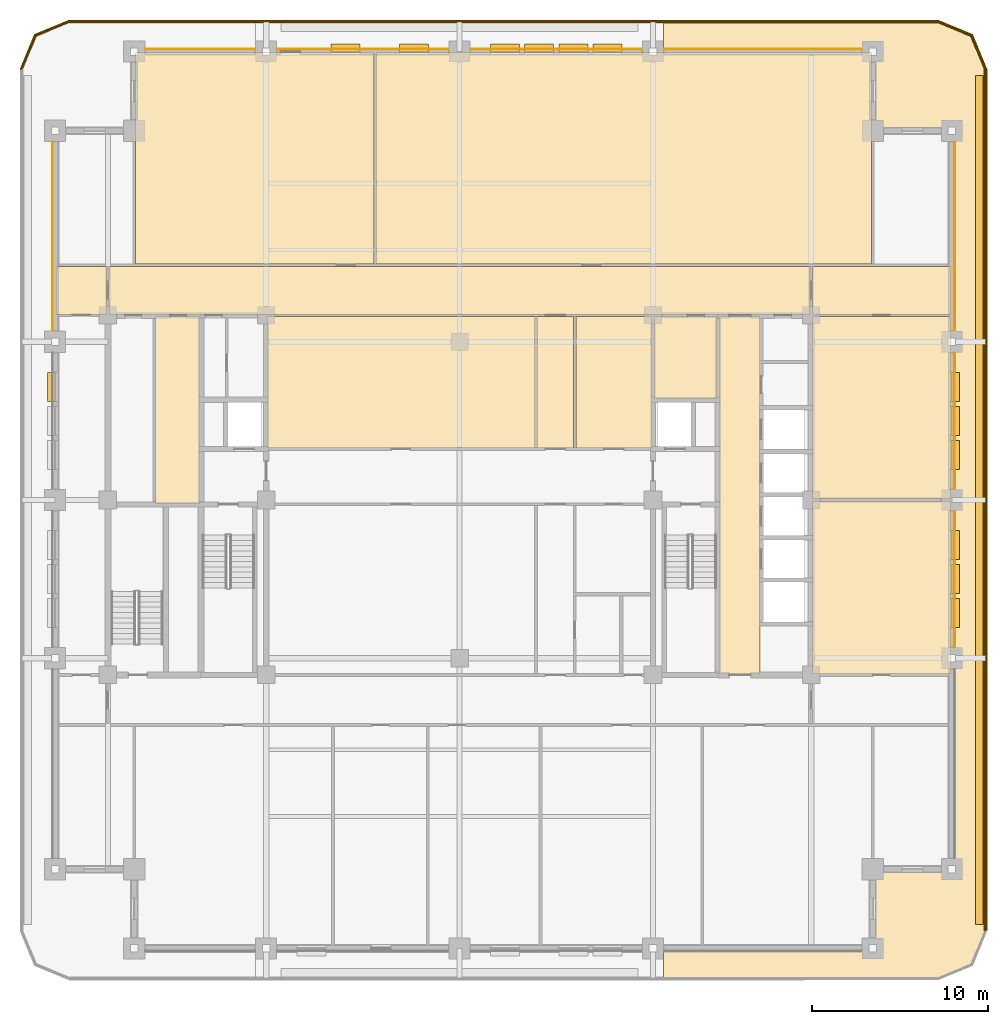
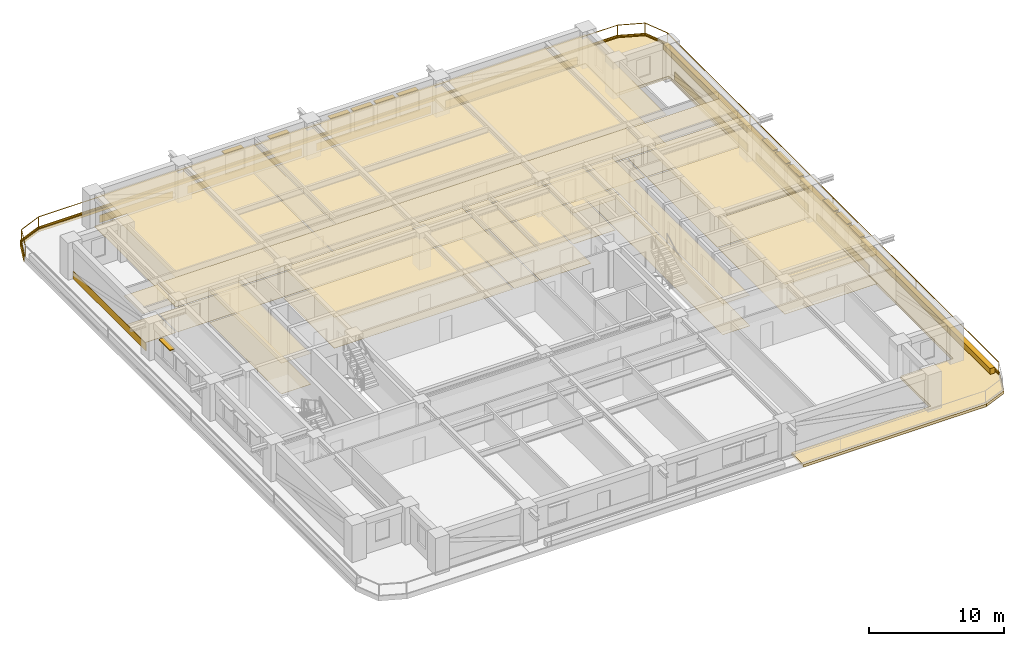
# One storey, part 13 of 13: 42 coverings, 13 shading devices, 2 railings.
"""IFC4 building model written with IfcOpenShell, lengths in metres."""

from ifc_helpers import new_model, si_unit, direction, frame, frame_2d, origin, origin_2d, place, context, subcontext, project, spatial, polyline, rectangle, outline, extrude, material, layer, layer_set, type_object, element, save


model = new_model("IFC4")

# Units and contexts
model_context = context("Model", 3, precision=1e-05, world=origin(), true_north=direction((0.0, 1.0)))
body_context = subcontext(model_context, "Body", "Model", "MODEL_VIEW")
ifc_project = project(units=[si_unit("LENGTHUNIT", "METRE"), si_unit("AREAUNIT", "SQUARE_METRE"), si_unit("VOLUMEUNIT", "CUBIC_METRE"), si_unit("PLANEANGLEUNIT", "RADIAN"), si_unit("MASSUNIT", "GRAM", prefix="KILO")], contexts=[model_context])

# Site, building, storey
site_placement = place(None, origin())
site = spatial("IfcSite", under=ifc_project, at=site_placement, CompositionType="ELEMENT")
building_placement = place(site_placement, origin())
building = spatial("IfcBuilding", under=site, at=building_placement, Name="Zulmaris Gate Convention Tower", CompositionType="ELEMENT")
storey_placement = place(building_placement, frame((0.0, 0.0, 109.2099609375)))
storey = spatial("IfcBuildingStorey", under=building, at=storey_placement, Name="L27", CompositionType="ELEMENT", Elevation=109.2099609375)

# Coverings
ifc_material_1 = material(Name="Precast concrete C40/50", Category="concrete")
ifc_layer_1 = layer(ifc_material_1, 0.0400390625, Name="Precast concrete C40/50")
ifc_layer_set_1 = layer_set([ifc_layer_1], Name="Precast concrete C40/50")
covering_type_1 = type_object("IfcCoveringType", Name="CLAD-SPANDREL-PRECAST", PredefinedType="CLADDING", material=ifc_layer_set_1)
covering_1_placement = place(storey_placement, frame((-11.6298828125, 25.64990234375, 0.0), z_axis=(0.0, 0.0, 1.0), x_axis=(-1.0, 0.0, 0.0)))
element("IfcCovering", 1, at=covering_1_placement, inside=storey, type_object=covering_type_1, Name="CLD-L27-N-0_0", PredefinedType="CLADDING", context=body_context, shape_type="SweptSolid", body=[
    extrude(rectangle(XDim=6.240234375, YDim=0.0400390625, at=frame_2d((3.1201171875, 0.0))), origin(), (0.0, 0.0, 1.0), 0.679931640625),
])
for number, where, z_axis, x_axis, name in (
    (2, (-0.6298828125, 25.64990234375, 0.0), (0.0, 0.0, 1.0), (-1.0, 0.0, 0.0), "CLD-L27-N-1_0"),
    (3, (10.3701171875, 25.64990234375, 0.0), (0.0, 0.0, 1.0), (-1.0, 0.0, 0.0), "CLD-L27-N-2_0"),
):
    element("IfcCovering", number, at=place(storey_placement, frame(where, z_axis=z_axis, x_axis=x_axis)), inside=storey, type_object=covering_type_1, Name=name, PredefinedType="CLADDING", context=body_context, shape_type="SweptSolid", body=[
        extrude(rectangle(XDim=9.740234375, YDim=0.0400390625, at=frame_2d((4.8701171875, 0.0))), origin(), (0.0, 0.0, 1.0), 0.679931640625),
    ])
covering_2_placement = place(storey_placement, frame((22.8701171875, 25.64990234375, 0.0), z_axis=(0.0, 0.0, 1.0), x_axis=(-1.0, 0.0, 0.0)))
element("IfcCovering", 4, at=covering_2_placement, inside=storey, type_object=covering_type_1, Name="CLD-L27-N-3_0", PredefinedType="CLADDING", context=body_context, shape_type="SweptSolid", body=[
    extrude(rectangle(XDim=11.240234375, YDim=0.0400390625, at=frame_2d((5.6201171875, 0.0))), origin(), (0.0, 0.0, 1.0), 0.679931640625),
])
for number, where, z_axis, x_axis, name in (
    (5, (28.14990234375, -8.3701171875, 0.0), (0.0, 0.0, 1.0), (0.0, 1.0, 0.0), "CLD-L27-E-1_0"),
    (6, (28.14990234375, 0.6298828125, 0.0), (0.0, 0.0, 1.0), (0.0, 1.0, 0.0), "CLD-L27-E-2_0"),
):
    element("IfcCovering", number, at=place(storey_placement, frame(where, z_axis=z_axis, x_axis=x_axis)), inside=storey, type_object=covering_type_1, Name=name, PredefinedType="CLADDING", context=body_context, shape_type="SweptSolid", body=[
        extrude(rectangle(XDim=7.740234375, YDim=0.0400390625, at=frame_2d((3.8701171875, 0.0))), origin(), (0.0, 0.0, 1.0), 0.679931640625),
    ])
for number, where, z_axis, x_axis, name in (
    (7, (28.14990234375, 9.6298828125, 0.0), (0.0, 0.0, 1.0), (0.0, 1.0, 0.0), "CLD-L27-E-3_0"),
    (8, (-23.14990234375, 20.3701171875, 0.0), (0.0, 0.0, 1.0), (0.0, -1.0, 0.0), "CLD-L27-W-3_0"),
):
    element("IfcCovering", number, at=place(storey_placement, frame(where, z_axis=z_axis, x_axis=x_axis)), inside=storey, type_object=covering_type_1, Name=name, PredefinedType="CLADDING", context=body_context, shape_type="SweptSolid", body=[
        extrude(rectangle(XDim=10.740234375, YDim=0.0400390625, at=frame_2d((5.3701171875, 0.0))), origin(), (0.0, 0.0, 1.0), 0.679931640625),
    ])
ifc_material_2 = material(Name="White Glazed Architectural Precast Concrete C40/50", Category="concrete")
ifc_layer_2 = layer(ifc_material_2, 0.239990234375, Name="White Glazed Architectural Precast Concrete C40/50")
ifc_layer_set_2 = layer_set([ifc_layer_2], Name="White Glazed Architectural Precast Concrete C40/50")
covering_type_2 = type_object("IfcCoveringType", Name="CLAD-TRAY-DECK", PredefinedType="CLADDING", material=ifc_layer_set_2)
covering_3_placement = place(storey_placement, frame((0.0, 0.0, -0.25)))
element("IfcCovering", 9, at=covering_3_placement, inside=storey, type_object=covering_type_2, Name="L27 East Rounded-Fascia Planter Tray Deck", PredefinedType="CLADDING", context=body_context, shape_type="SweptSolid", body=[
    extrude(outline(polyline([(27.199951171875, 27.300048828125), (29.179931640625, 26.47998046875), (30.0, 24.5), (30.0, -24.5), (29.179931640625, -26.47998046875), (27.199951171875, -27.300048828125), (11.60205078125, -27.300048828125), (11.60205078125, -25.5), (23.5, -25.5), (23.5, -21.0), (28.0, -21.0), (28.0, 21.0), (23.5, 21.0), (23.5, 25.5), (11.60205078125, 25.5), (11.60205078125, 27.300048828125), (27.199951171875, 27.300048828125)])), origin(), (0.0, 0.0, 1.0), 0.239990234375),
])
ifc_layer_3 = layer(ifc_material_2, 0.080078125, Name="White Glazed Architectural Precast Concrete C40/50")
ifc_layer_set_3 = layer_set([ifc_layer_3], Name="White Glazed Architectural Precast Concrete C40/50")
covering_type_3 = type_object("IfcCoveringType", Name="CLAD-TRAY-FASCIA", PredefinedType="CLADDING", material=ifc_layer_set_3)
covering_4_placement = place(storey_placement, frame((29.9599609375, -24.5, -0.2900390625), z_axis=(0.0, 0.0, 1.0), x_axis=(0.0, 1.0, 0.0)))
element("IfcCovering", 10, at=covering_4_placement, inside=storey, type_object=covering_type_3, Name="FSC-L27-TR-05", PredefinedType="CLADDING", context=body_context, shape_type="SweptSolid", body=[
    extrude(rectangle(XDim=49.0, YDim=0.080078125, at=frame_2d((24.5, 0.0))), origin(), (0.0, 0.0, 1.0), 0.440185546875),
])
covering_5_placement = place(storey_placement, frame((29.962890625, 24.484619140625, -0.2900390625), z_axis=(0.0, 0.0, 1.0), x_axis=(-0.382656984709, 0.923890487046, 0.0)))
element("IfcCovering", 11, at=covering_5_placement, inside=storey, type_object=covering_type_3, Name="FSC-L27-TR-06", PredefinedType="CLADDING", context=body_context, shape_type="SweptSolid", body=[
    extrude(rectangle(XDim=2.14306640625, YDim=0.080078125, at=frame_2d((1.071533203125, 0.0))), origin(), (0.0, 0.0, 1.0), 0.440185546875),
])
covering_6_placement = place(storey_placement, frame((29.16455078125, 26.44287109375, -0.2900390625), z_axis=(0.0, 0.0, 1.0), x_axis=(-0.923873803533, 0.382697263049, 0.0)))
element("IfcCovering", 12, at=covering_6_placement, inside=storey, type_object=covering_type_3, Name="FSC-L27-TR-07", PredefinedType="CLADDING", context=body_context, shape_type="SweptSolid", body=[
    extrude(rectangle(XDim=2.142822265625, YDim=0.080078125, at=frame_2d((1.0712890625, 0.0))), origin(), (0.0, 0.0, 1.0), 0.440185546875),
])
covering_7_placement = place(storey_placement, frame((27.199951171875, 27.260009765625, -0.2900390625), z_axis=(0.0, 0.0, 1.0), x_axis=(-1.0, 0.0, 0.0)))
element("IfcCovering", 13, at=covering_7_placement, inside=storey, type_object=covering_type_3, Name="FSC-L27-TR-08", PredefinedType="CLADDING", context=body_context, shape_type="SweptSolid", body=[
    extrude(rectangle(XDim=49.39990234375, YDim=0.080078125, at=frame_2d((24.699951171875, 0.0))), origin(), (0.0, 0.0, 1.0), 0.440185546875),
])
covering_8_placement = place(storey_placement, frame((-22.184814453125, 27.262939453125, -0.2900390625), z_axis=(0.0, 0.0, 1.0), x_axis=(-0.923873803533, -0.382697263049, 0.0)))
element("IfcCovering", 14, at=covering_8_placement, inside=storey, type_object=covering_type_3, Name="FSC-L27-TR-09", PredefinedType="CLADDING", context=body_context, shape_type="SweptSolid", body=[
    extrude(rectangle(XDim=2.142822265625, YDim=0.080078125, at=frame_2d((1.0712890625, 0.0))), origin(), (0.0, 0.0, 1.0), 0.440185546875),
])
covering_9_placement = place(storey_placement, frame((-24.142822265625, 26.464599609375, -0.2900390625), z_axis=(0.0, 0.0, 1.0), x_axis=(-0.382656984709, -0.923890487046, 0.0)))
element("IfcCovering", 15, at=covering_9_placement, inside=storey, type_object=covering_type_3, Name="FSC-L27-TR-10", PredefinedType="CLADDING", context=body_context, shape_type="SweptSolid", body=[
    extrude(rectangle(XDim=2.14306640625, YDim=0.080078125, at=frame_2d((1.071533203125, 0.0))), origin(), (0.0, 0.0, 1.0), 0.440185546875),
])
ifc_material_3 = material(Name="Mineral Fibre Acoustic Ceiling Tile")
ifc_layer_4 = layer(ifc_material_3, 0.02001953125, Name="Mineral Fibre Acoustic Ceiling Tile")
ifc_layer_set_4 = layer_set([ifc_layer_4], Name="Mineral Fibre Acoustic Ceiling Tile")
covering_type_4 = type_object("IfcCoveringType", Name="CLG-ACOUSTIC-600", PredefinedType="CEILING", material=ifc_layer_set_4)
covering_10_placement = place(storey_placement, frame((0.0, 0.0, 2.778076171875)))
element("IfcCovering", 16, at=covering_10_placement, inside=storey, type_object=covering_type_4, Name="CLG-L27-R13", PredefinedType="CEILING", context=body_context, shape_type="SweptSolid", body=[
    extrude(outline(polyline([(11.06005859375, 5.760009765625), (14.639892578125, 5.760009765625), (14.639892578125, 10.43994140625), (11.06005859375, 10.43994140625), (11.06005859375, 5.760009765625)])), origin(), (0.0, 0.0, 1.0), 0.02001953125),
])
covering_11_placement = place(storey_placement, frame((0.0, 0.0, 2.778076171875)))
element("IfcCovering", 17, at=covering_11_placement, inside=storey, type_object=covering_type_4, Name="CLG-L27-R17", PredefinedType="CEILING", context=body_context, shape_type="SweptSolid", body=[
    extrude(outline(polyline([(-17.2900390625, -0.18994140625), (-14.760009765625, -0.18994140625), (-14.760009765625, 10.43994140625), (-17.2900390625, 10.43994140625), (-17.2900390625, -0.18994140625)])), origin(), (0.0, 0.0, 1.0), 0.02001953125),
])
covering_12_placement = place(storey_placement, frame((0.0, 0.0, 2.778076171875)))
element("IfcCovering", 18, at=covering_12_placement, inside=storey, type_object=covering_type_4, Name="CLG-L27-R23", PredefinedType="CEILING", context=body_context, shape_type="SweptSolid", body=[
    extrude(outline(polyline([(14.760009765625, -9.889892578125), (17.090087890625, -9.889892578125), (17.090087890625, 10.43994140625), (14.760009765625, 10.43994140625), (14.760009765625, -9.889892578125)])), origin(), (0.0, 0.0, 1.0), 0.02001953125),
])
covering_13_placement = place(storey_placement, frame((0.0, 0.0, 2.778076171875)))
element("IfcCovering", 19, at=covering_13_placement, inside=storey, type_object=covering_type_4, Name="CLG-L27-R28", PredefinedType="CEILING", context=body_context, shape_type="SweptSolid", body=[
    extrude(outline(polyline([(-19.93994140625, 10.56005859375), (19.93994140625, 10.56005859375), (19.93994140625, 13.2900390625), (-19.93994140625, 13.2900390625), (-19.93994140625, 10.56005859375)])), origin(), (0.0, 0.0, 1.0), 0.02001953125),
])
covering_14_placement = place(storey_placement, frame((0.0, 0.0, 2.778076171875)))
element("IfcCovering", 20, at=covering_14_placement, inside=storey, type_object=covering_type_4, Name="CLG-L27-R31", PredefinedType="CEILING", context=body_context, shape_type="SweptSolid", body=[
    extrude(outline(polyline([(4.409912109375, 2.9599609375), (6.489990234375, 2.9599609375), (6.489990234375, 10.43994140625), (4.409912109375, 10.43994140625), (4.409912109375, 2.9599609375)])), origin(), (0.0, 0.0, 1.0), 0.02001953125),
])
covering_15_placement = place(storey_placement, frame((0.0, 0.0, 2.679931640625)))
element("IfcCovering", 21, at=covering_15_placement, inside=storey, type_object=covering_type_4, Name="CLG-L27-R33", PredefinedType="CEILING", context=body_context, shape_type="SweptSolid", body=[
    extrude(outline(polyline([(-18.43994140625, 13.409912109375), (-4.860107421875, 13.409912109375), (-4.860107421875, 25.43994140625), (-18.43994140625, 25.43994140625), (-18.43994140625, 13.409912109375)])), origin(), (0.0, 0.0, 1.0), 0.02001953125),
])
covering_16_placement = place(storey_placement, frame((0.0, 0.0, 2.679931640625)))
element("IfcCovering", 22, at=covering_16_placement, inside=storey, type_object=covering_type_4, Name="CLG-L27-R34", PredefinedType="CEILING", context=body_context, shape_type="SweptSolid", body=[
    extrude(outline(polyline([(-4.739990234375, 13.409912109375), (23.43994140625, 13.409912109375), (23.43994140625, 25.43994140625), (-4.739990234375, 25.43994140625), (-4.739990234375, 13.409912109375)])), origin(), (0.0, 0.0, 1.0), 0.02001953125),
])
covering_17_placement = place(storey_placement, frame((0.0, 0.0, 2.778076171875)))
element("IfcCovering", 23, at=covering_17_placement, inside=storey, type_object=covering_type_4, Name="CLG-L27-R40", PredefinedType="CEILING", context=body_context, shape_type="SweptSolid", body=[
    extrude(outline(polyline([(-10.93994140625, 2.9599609375), (4.2900390625, 2.9599609375), (4.2900390625, 10.43994140625), (-10.93994140625, 10.43994140625), (-10.93994140625, 2.9599609375)])), origin(), (0.0, 0.0, 1.0), 0.02001953125),
])
covering_18_placement = place(storey_placement, frame((0.0, 0.0, 2.778076171875)))
element("IfcCovering", 24, at=covering_18_placement, inside=storey, type_object=covering_type_4, Name="CLG-L27-R41", PredefinedType="CEILING", context=body_context, shape_type="SweptSolid", body=[
    extrude(outline(polyline([(6.610107421875, 2.9599609375), (10.93994140625, 2.9599609375), (10.93994140625, 10.43994140625), (6.610107421875, 10.43994140625), (6.610107421875, 2.9599609375)])), origin(), (0.0, 0.0, 1.0), 0.02001953125),
])
covering_19_placement = place(storey_placement, frame((0.0, 0.0, 2.679931640625)))
element("IfcCovering", 25, at=covering_19_placement, inside=storey, type_object=covering_type_4, Name="CLG-L27-R46", PredefinedType="CEILING", context=body_context, shape_type="SweptSolid", body=[
    extrude(outline(polyline([(-22.93994140625, 10.56005859375), (-20.06005859375, 10.56005859375), (-20.06005859375, 13.2900390625), (-22.93994140625, 13.2900390625), (-22.93994140625, 10.56005859375)])), origin(), (0.0, 0.0, 1.0), 0.02001953125),
])
covering_20_placement = place(storey_placement, frame((0.0, 0.0, 2.679931640625)))
element("IfcCovering", 26, at=covering_20_placement, inside=storey, type_object=covering_type_4, Name="CLG-L27-R49", PredefinedType="CEILING", context=body_context, shape_type="SweptSolid", body=[
    extrude(outline(polyline([(20.06005859375, 10.56005859375), (27.93994140625, 10.56005859375), (27.93994140625, 13.2900390625), (20.06005859375, 13.2900390625), (20.06005859375, 10.56005859375)])), origin(), (0.0, 0.0, 1.0), 0.02001953125),
])
covering_21_placement = place(storey_placement, frame((0.0, 0.0, 2.679931640625)))
element("IfcCovering", 27, at=covering_21_placement, inside=storey, type_object=covering_type_4, Name="CLG-L27-R51", PredefinedType="CEILING", context=body_context, shape_type="SweptSolid", body=[
    extrude(outline(polyline([(20.06005859375, 0.06005859375), (27.93994140625, 0.06005859375), (27.93994140625, 10.43994140625), (20.06005859375, 10.43994140625), (20.06005859375, 0.06005859375)])), origin(), (0.0, 0.0, 1.0), 0.02001953125),
])
covering_22_placement = place(storey_placement, frame((0.0, 0.0, 2.679931640625)))
element("IfcCovering", 28, at=covering_22_placement, inside=storey, type_object=covering_type_4, Name="CLG-L27-R52", PredefinedType="CEILING", context=body_context, shape_type="SweptSolid", body=[
    extrude(outline(polyline([(20.06005859375, -9.889892578125), (27.93994140625, -9.889892578125), (27.93994140625, -0.06005859375), (20.06005859375, -0.06005859375), (20.06005859375, -9.889892578125)])), origin(), (0.0, 0.0, 1.0), 0.02001953125),
])
ifc_material_4 = material(Name="Woven Acoustic Wool Carpet Tile")
ifc_layer_5 = layer(ifc_material_4, 0.02001953125, Name="Woven Acoustic Wool Carpet Tile")
ifc_layer_set_5 = layer_set([ifc_layer_5], Name="Woven Acoustic Wool Carpet Tile")
covering_type_5 = type_object("IfcCoveringType", Name="FLR-CARPET-12", PredefinedType="FLOORING", material=ifc_layer_set_5)
covering_23_placement = place(storey_placement, origin())
element("IfcCovering", 29, at=covering_23_placement, inside=storey, type_object=covering_type_5, Name="FLR-L27-R13", PredefinedType="FLOORING", context=body_context, shape_type="SweptSolid", body=[
    extrude(outline(polyline([(11.06005859375, 5.760009765625), (14.639892578125, 5.760009765625), (14.639892578125, 10.43994140625), (11.06005859375, 10.43994140625), (11.06005859375, 5.760009765625)])), origin(), (0.0, 0.0, 1.0), 0.02001953125),
])
covering_24_placement = place(storey_placement, origin())
element("IfcCovering", 30, at=covering_24_placement, inside=storey, type_object=covering_type_5, Name="FLR-L27-R17", PredefinedType="FLOORING", context=body_context, shape_type="SweptSolid", body=[
    extrude(outline(polyline([(-17.2900390625, -0.18994140625), (-14.760009765625, -0.18994140625), (-14.760009765625, 10.43994140625), (-17.2900390625, 10.43994140625), (-17.2900390625, -0.18994140625)])), origin(), (0.0, 0.0, 1.0), 0.02001953125),
])
covering_25_placement = place(storey_placement, origin())
element("IfcCovering", 31, at=covering_25_placement, inside=storey, type_object=covering_type_5, Name="FLR-L27-R23", PredefinedType="FLOORING", context=body_context, shape_type="SweptSolid", body=[
    extrude(outline(polyline([(14.760009765625, -9.889892578125), (17.090087890625, -9.889892578125), (17.090087890625, 10.43994140625), (14.760009765625, 10.43994140625), (14.760009765625, -9.889892578125)])), origin(), (0.0, 0.0, 1.0), 0.02001953125),
])
covering_26_placement = place(storey_placement, origin())
element("IfcCovering", 32, at=covering_26_placement, inside=storey, type_object=covering_type_5, Name="FLR-L27-R28", PredefinedType="FLOORING", context=body_context, shape_type="SweptSolid", body=[
    extrude(outline(polyline([(-19.93994140625, 10.56005859375), (19.93994140625, 10.56005859375), (19.93994140625, 13.2900390625), (-19.93994140625, 13.2900390625), (-19.93994140625, 10.56005859375)])), origin(), (0.0, 0.0, 1.0), 0.02001953125),
])
covering_27_placement = place(storey_placement, origin())
element("IfcCovering", 33, at=covering_27_placement, inside=storey, type_object=covering_type_5, Name="FLR-L27-R31", PredefinedType="FLOORING", context=body_context, shape_type="SweptSolid", body=[
    extrude(outline(polyline([(4.409912109375, 2.9599609375), (6.489990234375, 2.9599609375), (6.489990234375, 10.43994140625), (4.409912109375, 10.43994140625), (4.409912109375, 2.9599609375)])), origin(), (0.0, 0.0, 1.0), 0.02001953125),
])
covering_28_placement = place(storey_placement, origin())
element("IfcCovering", 34, at=covering_28_placement, inside=storey, type_object=covering_type_5, Name="FLR-L27-R34", PredefinedType="FLOORING", context=body_context, shape_type="SweptSolid", body=[
    extrude(outline(polyline([(-4.739990234375, 13.409912109375), (23.43994140625, 13.409912109375), (23.43994140625, 25.43994140625), (-4.739990234375, 25.43994140625), (-4.739990234375, 13.409912109375)])), origin(), (0.0, 0.0, 1.0), 0.02001953125),
])
covering_29_placement = place(storey_placement, origin())
element("IfcCovering", 35, at=covering_29_placement, inside=storey, type_object=covering_type_5, Name="FLR-L27-R41", PredefinedType="FLOORING", context=body_context, shape_type="SweptSolid", body=[
    extrude(outline(polyline([(6.610107421875, 2.9599609375), (10.93994140625, 2.9599609375), (10.93994140625, 10.43994140625), (6.610107421875, 10.43994140625), (6.610107421875, 2.9599609375)])), origin(), (0.0, 0.0, 1.0), 0.02001953125),
])
covering_30_placement = place(storey_placement, origin())
element("IfcCovering", 36, at=covering_30_placement, inside=storey, type_object=covering_type_5, Name="FLR-L27-R46", PredefinedType="FLOORING", context=body_context, shape_type="SweptSolid", body=[
    extrude(outline(polyline([(-22.93994140625, 10.56005859375), (-20.06005859375, 10.56005859375), (-20.06005859375, 13.2900390625), (-22.93994140625, 13.2900390625), (-22.93994140625, 10.56005859375)])), origin(), (0.0, 0.0, 1.0), 0.02001953125),
])
covering_31_placement = place(storey_placement, origin())
element("IfcCovering", 37, at=covering_31_placement, inside=storey, type_object=covering_type_5, Name="FLR-L27-R49", PredefinedType="FLOORING", context=body_context, shape_type="SweptSolid", body=[
    extrude(outline(polyline([(20.06005859375, 10.56005859375), (27.93994140625, 10.56005859375), (27.93994140625, 13.2900390625), (20.06005859375, 13.2900390625), (20.06005859375, 10.56005859375)])), origin(), (0.0, 0.0, 1.0), 0.02001953125),
])
covering_32_placement = place(storey_placement, origin())
element("IfcCovering", 38, at=covering_32_placement, inside=storey, type_object=covering_type_5, Name="FLR-L27-R51", PredefinedType="FLOORING", context=body_context, shape_type="SweptSolid", body=[
    extrude(outline(polyline([(20.06005859375, 0.06005859375), (27.93994140625, 0.06005859375), (27.93994140625, 10.43994140625), (20.06005859375, 10.43994140625), (20.06005859375, 0.06005859375)])), origin(), (0.0, 0.0, 1.0), 0.02001953125),
])
covering_33_placement = place(storey_placement, origin())
element("IfcCovering", 39, at=covering_33_placement, inside=storey, type_object=covering_type_5, Name="FLR-L27-R52", PredefinedType="FLOORING", context=body_context, shape_type="SweptSolid", body=[
    extrude(outline(polyline([(20.06005859375, -9.889892578125), (27.93994140625, -9.889892578125), (27.93994140625, -0.06005859375), (20.06005859375, -0.06005859375), (20.06005859375, -9.889892578125)])), origin(), (0.0, 0.0, 1.0), 0.02001953125),
])
ifc_material_5 = material(Name="Polished Granite Terrazzo Tile", Category="masonry")
ifc_layer_6 = layer(ifc_material_5, 0.02001953125, Name="Polished Granite Terrazzo Tile")
ifc_layer_set_6 = layer_set([ifc_layer_6], Name="Polished Granite Terrazzo Tile")
covering_type_6 = type_object("IfcCoveringType", Name="FLR-TERRAZZO-30", PredefinedType="FLOORING", material=ifc_layer_set_6)
covering_34_placement = place(storey_placement, origin())
element("IfcCovering", 40, at=covering_34_placement, inside=storey, type_object=covering_type_6, Name="FLR-L27-R40", PredefinedType="FLOORING", context=body_context, shape_type="SweptSolid", body=[
    extrude(outline(polyline([(-10.93994140625, 2.9599609375), (4.2900390625, 2.9599609375), (4.2900390625, 10.43994140625), (-10.93994140625, 10.43994140625), (-10.93994140625, 2.9599609375)])), origin(), (0.0, 0.0, 1.0), 0.02001953125),
])
ifc_material_6 = material(Name="Engineered Teak Parquet Flooring")
ifc_layer_7 = layer(ifc_material_6, 0.02001953125, Name="Engineered Teak Parquet Flooring")
ifc_layer_set_7 = layer_set([ifc_layer_7], Name="Engineered Teak Parquet Flooring")
covering_type_7 = type_object("IfcCoveringType", Name="FLR-TIMBER-18", PredefinedType="FLOORING", material=ifc_layer_set_7)
covering_35_placement = place(storey_placement, origin())
element("IfcCovering", 41, at=covering_35_placement, inside=storey, type_object=covering_type_7, Name="FLR-L27-R33", PredefinedType="FLOORING", context=body_context, shape_type="SweptSolid", body=[
    extrude(outline(polyline([(-18.43994140625, 13.409912109375), (-4.860107421875, 13.409912109375), (-4.860107421875, 25.43994140625), (-18.43994140625, 25.43994140625), (-18.43994140625, 13.409912109375)])), origin(), (0.0, 0.0, 1.0), 0.02001953125),
])
ifc_material_7 = material(Name="Botanical Green Glazed Precast Concrete C40/50", Category="concrete")
ifc_layer_8 = layer(ifc_material_7, 0.419921875, Name="Botanical Green Glazed Precast Concrete C40/50")
ifc_layer_set_8 = layer_set([ifc_layer_8], Name="Botanical Green Glazed Precast Concrete C40/50")
covering_type_8 = type_object("IfcCoveringType", Name="PLANTER-BOX-200", PredefinedType="CLADDING", material=ifc_layer_set_8)
covering_36_placement = place(storey_placement, frame((0.0, 0.0, -0.010009765625)))
element("IfcCovering", 42, at=covering_36_placement, inside=storey, type_object=covering_type_8, Name="L27 E Full-Length Balcony Tree Planter Trough", PredefinedType="CLADDING", context=body_context, shape_type="SweptSolid", body=[
    extrude(outline(polyline([(29.340087890625, -24.14990234375), (29.760009765625, -24.14990234375), (29.760009765625, 24.14990234375), (29.340087890625, 24.14990234375), (29.340087890625, -24.14990234375)])), origin(), (0.0, 0.0, 1.0), 0.52001953125),
])

# Railings
ifc_material_8 = material(Name="Laminated Glass and Stainless Steel", Category="steel")
railing_type = type_object("IfcRailingType", Name="RL-BALC-1150", PredefinedType="BALUSTRADE", material=ifc_material_8)
railing_1_placement = place(storey_placement, frame((29.8798828125, -24.5, -0.010009765625)))
element("IfcRailing", 43, at=railing_1_placement, inside=storey, type_object=railing_type, Name="RL-L27-BALC-E", PredefinedType="BALUSTRADE", context=body_context, shape_type="SweptSolid", body=[
    extrude(rectangle(XDim=0.048095703125, YDim=0.048095703125, at=origin_2d()), frame((0.0, 0.0, 1.1259765625), z_axis=(0.0, 1.0, 0.0), x_axis=(-1.0, 0.0, 0.0)), (0.0, 0.0, 1.0), 49.0),
    extrude(rectangle(XDim=0.048095703125, YDim=0.048095703125, at=origin_2d()), frame((0.0, 0.0, 0.02392578125), z_axis=(0.0, 1.0, 0.0), x_axis=(-1.0, 0.0, 0.0)), (0.0, 0.0, 1.0), 49.0),
    extrude(rectangle(XDim=0.0419921875, YDim=0.0419921875, at=origin_2d()), origin(), (0.0, 0.0, 1.0), 1.101806640625),
    extrude(rectangle(XDim=0.0419921875, YDim=0.0419921875, at=origin_2d()), frame((0.0, 12.25, 0.0)), (0.0, 0.0, 1.0), 1.101806640625),
    extrude(rectangle(XDim=0.0419921875, YDim=0.0419921875, at=origin_2d()), frame((0.0, 24.5, 0.0)), (0.0, 0.0, 1.0), 1.101806640625),
    extrude(rectangle(XDim=0.0419921875, YDim=0.0419921875, at=origin_2d()), frame((0.0, 36.75, 0.0)), (0.0, 0.0, 1.0), 1.101806640625),
    extrude(rectangle(XDim=0.0419921875, YDim=0.0419921875, at=origin_2d()), frame((0.0, 49.0, 0.0)), (0.0, 0.0, 1.0), 1.101806640625),
])
railing_2_placement = place(storey_placement, frame((29.8798828125, 24.5, -0.010009765625)))
element("IfcRailing", 44, at=railing_2_placement, inside=storey, type_object=railing_type, Name="RL-L27-BALC-N", PredefinedType="BALUSTRADE", context=body_context, shape_type="SweptSolid", body=[
    extrude(rectangle(XDim=0.048095703125, YDim=0.048095703125, at=origin_2d()), frame((0.0, 0.0, 1.1259765625), z_axis=(-0.382670664694, 0.92388482095, 0.0), x_axis=(-0.92388482095, -0.382670664694, 0.0)), (0.0, 0.0, 1.0), 2.051025390625),
    extrude(rectangle(XDim=0.048095703125, YDim=0.048095703125, at=origin_2d()), frame((0.0, 0.0, 0.02392578125), z_axis=(-0.382670664694, 0.92388482095, 0.0), x_axis=(-0.92388482095, -0.382670664694, 0.0)), (0.0, 0.0, 1.0), 2.051025390625),
    extrude(rectangle(XDim=0.048095703125, YDim=0.048095703125, at=origin_2d()), frame((-0.784912109375, 1.89501953125, 1.1259765625), z_axis=(-0.92388482095, 0.382670664694, 0.0), x_axis=(-0.382670664694, -0.92388482095, 0.0)), (0.0, 0.0, 1.0), 2.051025390625),
    extrude(rectangle(XDim=0.048095703125, YDim=0.048095703125, at=origin_2d()), frame((-0.784912109375, 1.89501953125, 0.02392578125), z_axis=(-0.92388482095, 0.382670664694, 0.0), x_axis=(-0.382670664694, -0.92388482095, 0.0)), (0.0, 0.0, 1.0), 2.051025390625),
    extrude(rectangle(XDim=0.048095703125, YDim=0.048095703125, at=origin_2d()), frame((-2.679931640625, 2.679931640625, 1.1259765625), z_axis=(-1.0, 0.0, 0.0), x_axis=(0.0, -1.0, 0.0)), (0.0, 0.0, 1.0), 49.39990234375),
    extrude(rectangle(XDim=0.048095703125, YDim=0.048095703125, at=origin_2d()), frame((-2.679931640625, 2.679931640625, 0.02392578125), z_axis=(-1.0, 0.0, 0.0), x_axis=(0.0, -1.0, 0.0)), (0.0, 0.0, 1.0), 49.39990234375),
    extrude(rectangle(XDim=0.048095703125, YDim=0.048095703125, at=origin_2d()), frame((-52.079833984375, 2.679931640625, 1.1259765625), z_axis=(-0.92388482095, -0.382670664694, 0.0), x_axis=(0.382670664694, -0.92388482095, 0.0)), (0.0, 0.0, 1.0), 2.051025390625),
    extrude(rectangle(XDim=0.048095703125, YDim=0.048095703125, at=origin_2d()), frame((-52.079833984375, 2.679931640625, 0.02392578125), z_axis=(-0.92388482095, -0.382670664694, 0.0), x_axis=(0.382670664694, -0.92388482095, 0.0)), (0.0, 0.0, 1.0), 2.051025390625),
    extrude(rectangle(XDim=0.048095703125, YDim=0.048095703125, at=origin_2d()), frame((-53.974853515625, 1.89501953125, 1.1259765625), z_axis=(-0.382670664694, -0.92388482095, 0.0), x_axis=(0.92388482095, -0.382670664694, 0.0)), (0.0, 0.0, 1.0), 2.051025390625),
    extrude(rectangle(XDim=0.048095703125, YDim=0.048095703125, at=origin_2d()), frame((-53.974853515625, 1.89501953125, 0.02392578125), z_axis=(-0.382670664694, -0.92388482095, 0.0), x_axis=(0.92388482095, -0.382670664694, 0.0)), (0.0, 0.0, 1.0), 2.051025390625),
    extrude(rectangle(XDim=0.0419921875, YDim=0.0419921875, at=origin_2d()), origin(), (0.0, 0.0, 1.0), 1.101806640625),
    extrude(rectangle(XDim=0.0419921875, YDim=0.0419921875, at=origin_2d()), frame((-0.784912109375, 1.89501953125, 0.0)), (0.0, 0.0, 1.0), 1.101806640625),
    extrude(rectangle(XDim=0.0419921875, YDim=0.0419921875, at=origin_2d()), frame((-2.679931640625, 2.679931640625, 0.0)), (0.0, 0.0, 1.0), 1.101806640625),
    extrude(rectangle(XDim=0.0419921875, YDim=0.0419921875, at=origin_2d()), frame((-15.02978515625, 2.679931640625, 0.0)), (0.0, 0.0, 1.0), 1.101806640625),
    extrude(rectangle(XDim=0.0419921875, YDim=0.0419921875, at=origin_2d()), frame((-27.3798828125, 2.679931640625, 0.0)), (0.0, 0.0, 1.0), 1.101806640625),
    extrude(rectangle(XDim=0.0419921875, YDim=0.0419921875, at=origin_2d()), frame((-39.72998046875, 2.679931640625, 0.0)), (0.0, 0.0, 1.0), 1.101806640625),
    extrude(rectangle(XDim=0.0419921875, YDim=0.0419921875, at=origin_2d()), frame((-52.079833984375, 2.679931640625, 0.0)), (0.0, 0.0, 1.0), 1.101806640625),
    extrude(rectangle(XDim=0.0419921875, YDim=0.0419921875, at=origin_2d()), frame((-53.974853515625, 1.89501953125, 0.0)), (0.0, 0.0, 1.0), 1.101806640625),
    extrude(rectangle(XDim=0.0419921875, YDim=0.0419921875, at=origin_2d()), frame((-54.759765625, 0.0, 0.0)), (0.0, 0.0, 1.0), 1.101806640625),
])

# Shading devices
ifc_material_9 = material(Name="Glazed Ceramic Terracotta", Category="masonry")
ifc_layer_9 = layer(ifc_material_9, 0.070068359375, Name="Glazed Ceramic Terracotta")
ifc_layer_set_9 = layer_set([ifc_layer_9], Name="Glazed Ceramic Terracotta")
shading_device_type = type_object("IfcShadingDeviceType", Name="SHD-SUNSHADE-TC", PredefinedType="AWNING", material=ifc_layer_set_9)
for number, where, z_axis, x_axis, name in (
    (45, (-1.7529296875, 25.719970703125, 2.530029296875), (0.0, 0.0, 1.0), (-1.0, 0.0, 0.0), "SHD-EW-L27-N-1_0-1"),
    (46, (-5.64892578125, 25.719970703125, 2.530029296875), (0.0, 0.0, 1.0), (-1.0, 0.0, 0.0), "SHD-EW-L27-N-1_0-3"),
    (47, (9.2470703125, 25.719970703125, 2.530029296875), (0.0, 0.0, 1.0), (-1.0, 0.0, 0.0), "SHD-EW-L27-N-2_0-1"),
    (48, (7.299072265625, 25.719970703125, 2.530029296875), (0.0, 0.0, 1.0), (-1.0, 0.0, 0.0), "SHD-EW-L27-N-2_0-2"),
    (49, (5.35107421875, 25.719970703125, 2.530029296875), (0.0, 0.0, 1.0), (-1.0, 0.0, 0.0), "SHD-EW-L27-N-2_0-3"),
    (50, (3.403076171875, 25.719970703125, 2.530029296875), (0.0, 0.0, 1.0), (-1.0, 0.0, 0.0), "SHD-EW-L27-N-2_0-4"),
):
    element("IfcShadingDevice", number, at=place(storey_placement, frame(where, z_axis=z_axis, x_axis=x_axis)), inside=storey, type_object=shading_device_type, Name=name, PredefinedType="AWNING", context=body_context, shape_type="SweptSolid", body=[
        extrude(rectangle(XDim=1.650146484375, YDim=0.43994140625, at=frame_2d((0.8251953125, 0.0))), origin(), (0.0, 0.0, 1.0), 0.070068359375),
    ])
for number, where, z_axis, x_axis, name in (
    (51, (28.219970703125, -7.260009765625, 2.530029296875), (0.0, 0.0, 1.0), (0.0, 1.0, 0.0), "SHD-EW-L27-E-1_0-1"),
    (52, (28.219970703125, -5.324951171875, 2.530029296875), (0.0, 0.0, 1.0), (0.0, 1.0, 0.0), "SHD-EW-L27-E-1_0-2"),
    (53, (28.219970703125, -3.389892578125, 2.530029296875), (0.0, 0.0, 1.0), (0.0, 1.0, 0.0), "SHD-EW-L27-E-1_0-3"),
    (54, (28.219970703125, 1.739990234375, 2.530029296875), (0.0, 0.0, 1.0), (0.0, 1.0, 0.0), "SHD-EW-L27-E-2_0-1"),
    (55, (28.219970703125, 3.675048828125, 2.530029296875), (0.0, 0.0, 1.0), (0.0, 1.0, 0.0), "SHD-EW-L27-E-2_0-2"),
    (56, (28.219970703125, 5.610107421875, 2.530029296875), (0.0, 0.0, 1.0), (0.0, 1.0, 0.0), "SHD-EW-L27-E-2_0-3"),
    (57, (-23.219970703125, 7.260009765625, 2.530029296875), (0.0, 0.0, 1.0), (0.0, -1.0, 0.0), "SHD-EW-L27-W-2_0-1"),
):
    element("IfcShadingDevice", number, at=place(storey_placement, frame(where, z_axis=z_axis, x_axis=x_axis)), inside=storey, type_object=shading_device_type, Name=name, PredefinedType="AWNING", context=body_context, shape_type="SweptSolid", body=[
        extrude(rectangle(XDim=1.64990234375, YDim=0.43994140625, at=frame_2d((0.824951171875, 0.0))), origin(), (0.0, 0.0, 1.0), 0.070068359375),
    ])

save(model, "model.ifc")
